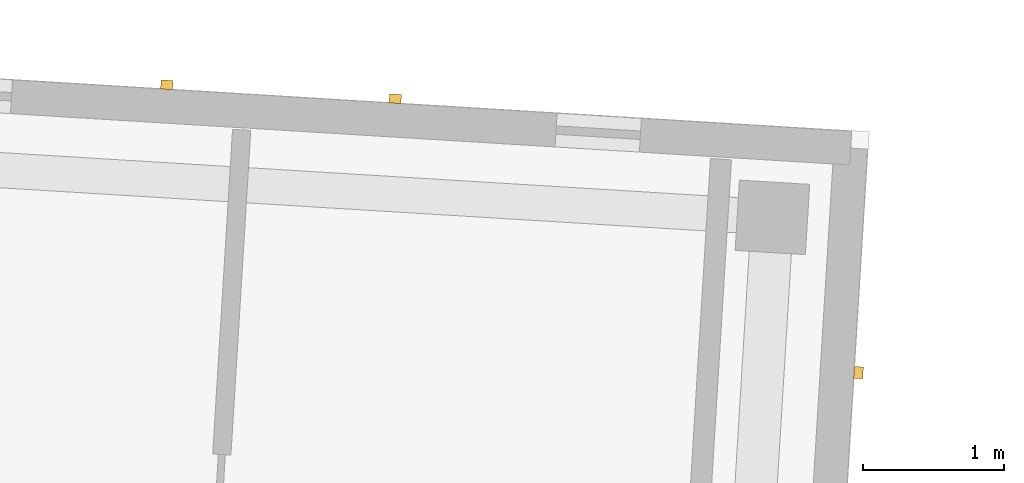
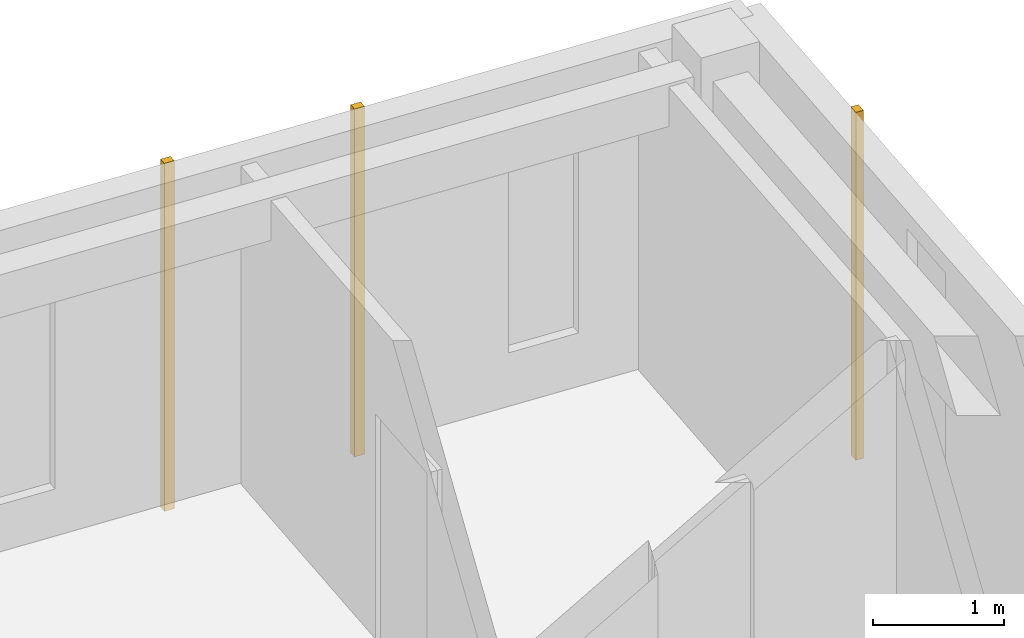
# One storey, part 54 of 74: 3 coverings.
"""IFC4 building model written with IfcOpenShell, lengths in metres."""

from ifc_helpers import new_model, si_unit, direction, frame, origin, origin_2d, place, context, subcontext, project, spatial, rectangle, extrude, material, layer, layer_set, type_object, element, save


model = new_model("IFC4")

# Units and contexts
model_context = context("Model", 3, precision=1e-05, world=origin(), true_north=direction((0.0, 1.0)))
body_context = subcontext(model_context, "Body", "Model", "MODEL_VIEW")
ifc_project = project(units=[si_unit("LENGTHUNIT", "METRE"), si_unit("AREAUNIT", "SQUARE_METRE"), si_unit("VOLUMEUNIT", "CUBIC_METRE"), si_unit("PLANEANGLEUNIT", "RADIAN"), si_unit("MASSUNIT", "GRAM", prefix="KILO")], contexts=[model_context])

# Site, building, storey
site_placement = place(None, origin())
site = spatial("IfcSite", under=ifc_project, at=site_placement, CompositionType="ELEMENT")
building_placement = place(site_placement, origin())
building = spatial("IfcBuilding", under=site, at=building_placement, Name="Kestramere Prow Commons", CompositionType="ELEMENT")
storey_placement = place(building_placement, frame((0.0, 0.0, 11.64990234375)))
storey = spatial("IfcBuildingStorey", under=building, at=storey_placement, Name="L03", CompositionType="ELEMENT", Elevation=11.64990234375)

# Coverings
ifc_material = material(Name="Weathered Zinc-Titanium Standing-Seam Cladding")
ifc_layer = layer(ifc_material, 0.074951171875)
ifc_layer_set = layer_set([ifc_layer], Name="Weathered Zinc-Titanium Standing-Seam Cladding")
covering_type = type_object("IfcCoveringType", Name="COV-CLAD-SEAM", PredefinedType="CLADDING", material=ifc_layer_set)
for number, where, z_axis, x_axis, name in (
    (1, (101.910888671875, 64.221435546875, -0.25), (0.0, 0.0, 1.0), (0.998134798422, -0.061048539535, 0.0), "EW-C-L03-N-5 Standing-Seam Rib 2"),
    (2, (103.532958984375, 64.122314453125, -0.25), (0.0, 0.0, 1.0), (0.998134798422, -0.061048539535, 0.0), "EW-C-L03-N-5 Standing-Seam Rib 3"),
    (3, (106.82275390625, 62.1767578125, -0.25), (0.0, 0.0, 1.0), (-0.061048539535, -0.998134798422, 0.0), "EW-C-L03-EAV Standing-Seam Rib 1"),
):
    element("IfcCovering", number, at=place(storey_placement, frame(where, z_axis=z_axis, x_axis=x_axis)), inside=storey, type_object=covering_type, Name=name, PredefinedType="CLADDING", context=body_context, shape_type="SweptSolid", body=[
        extrude(rectangle(XDim=0.0849609375, YDim=0.06494140625, at=origin_2d()), origin(), (0.0, 0.0, 1.0), 3.25),
    ])

save(model, "model.ifc")
